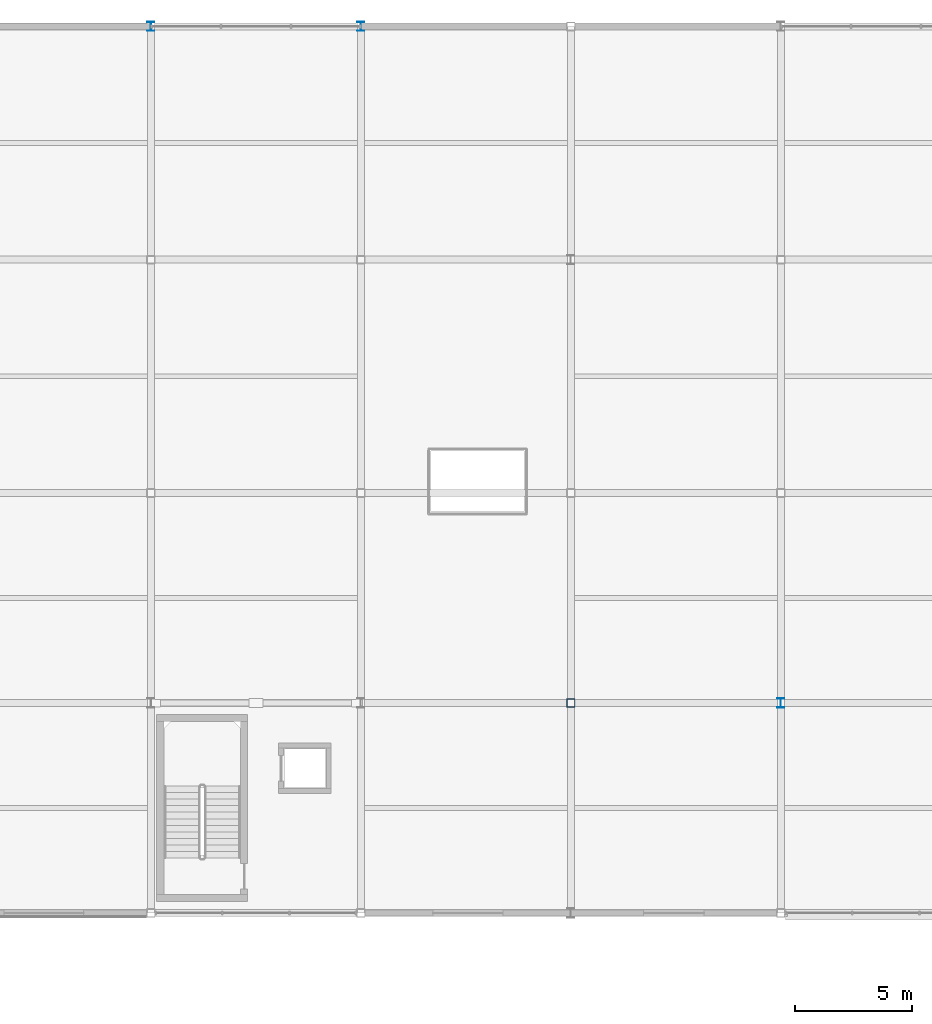
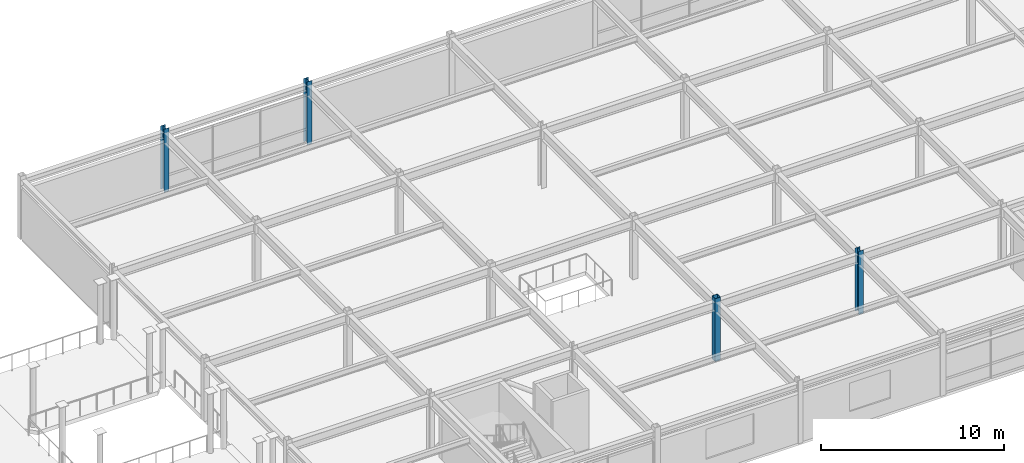
# One storey, part 7 of 53: 4 columns.
"""IFC4 building model written with IfcOpenShell, lengths in metres."""

from ifc_helpers import new_model, si_unit, direction, frame, origin, origin_2d, place, context, subcontext, project, spatial, hollow_rectangle, i_section, extrude, material, material_profile, profile_set, type_object, element, save


model = new_model("IFC4")

# Units and contexts
model_context = context("Model", 3, precision=1e-05, world=origin(), true_north=direction((0.0, 1.0)))
body_context = subcontext(model_context, "Body", "Model", "MODEL_VIEW")
ifc_project = project(units=[si_unit("LENGTHUNIT", "METRE"), si_unit("AREAUNIT", "SQUARE_METRE"), si_unit("VOLUMEUNIT", "CUBIC_METRE"), si_unit("PLANEANGLEUNIT", "RADIAN"), si_unit("MASSUNIT", "GRAM", prefix="KILO")], contexts=[model_context])

# Site, building, storey
site_placement = place(None, origin())
site = spatial("IfcSite", under=ifc_project, at=site_placement, CompositionType="ELEMENT")
building_placement = place(site_placement, origin())
building = spatial("IfcBuilding", under=site, at=building_placement, Name="Suzunagisa Mobility Hub", CompositionType="ELEMENT")
storey_placement = place(building_placement, frame((0.0, 0.0, 17.699951171875)))
storey = spatial("IfcBuildingStorey", under=building, at=storey_placement, Name="L04", CompositionType="ELEMENT", Elevation=17.699951171875)

# Columns
ifc_material = material(Name="Steel SN490B", Category="steel")
ifc_material_profile_1 = material_profile(ifc_material, hollow_rectangle(XDim=0.35009765625, YDim=0.35009765625, WallThickness=0.01611328125, at=origin_2d()), Name="BCR-350x350x16")
ifc_profile_set_1 = profile_set([ifc_material_profile_1], Name="Steel SN490B")
column_type_1 = type_object("IfcColumnType", Name="Steel Column CL-04 BCR-350x350x16", PredefinedType="COLUMN", material=ifc_profile_set_1)
column_placement = place(storey_placement, frame((72.0, 89.0, 0.0), z_axis=(0.0, 0.0, 1.0), x_axis=(1.0, 0.0, 0.0)))
element("IfcColumn", 1, at=column_placement, inside=storey, type_object=column_type_1, Name="L04 Column 155", PredefinedType="COLUMN", context=body_context, shape_type="SweptSolid", body=[
    extrude(hollow_rectangle(XDim=0.35009765625, YDim=0.35009765625, WallThickness=0.01611328125, at=origin_2d()), origin(), (0.0, 0.0, 1.0), 4.199951171875),
])
ifc_material_profile_2 = material_profile(ifc_material, i_section(OverallWidth=0.300048828125, OverallDepth=0.389892578125, WebThickness=0.010009765625, FlangeThickness=0.01611328125, FilletRadius=0.012939453125, at=origin_2d()), Name="H-390x300x10x16")
ifc_profile_set_2 = profile_set([ifc_material_profile_2], Name="Steel SN490B")
column_type_2 = type_object("IfcColumnType", Name="Steel Column CL-07 H-390x300x10x16", PredefinedType="COLUMN", material=ifc_profile_set_2)
for number, where, z_axis, x_axis, name in (
    (2, (54.0, 118.0, 0.0), (0.0, 0.0, 1.0), (1.0, 0.0, 0.0), "L04 Column 133"),
    (3, (63.0, 118.0, 0.0), (0.0, 0.0, 1.0), (1.0, 0.0, 0.0), "L04 Column 142"),
    (4, (81.0, 89.0, 0.0), (0.0, 0.0, 1.0), (1.0, 0.0, 0.0), "L04 Column 172"),
):
    element("IfcColumn", number, at=place(storey_placement, frame(where, z_axis=z_axis, x_axis=x_axis)), inside=storey, type_object=column_type_2, Name=name, PredefinedType="COLUMN", context=body_context, shape_type="SweptSolid", body=[
        extrude(i_section(OverallWidth=0.300048828125, OverallDepth=0.389892578125, WebThickness=0.010009765625, FlangeThickness=0.01611328125, FilletRadius=0.012939453125, at=origin_2d()), origin(), (0.0, 0.0, 1.0), 4.199951171875),
    ])

save(model, "model.ifc")
